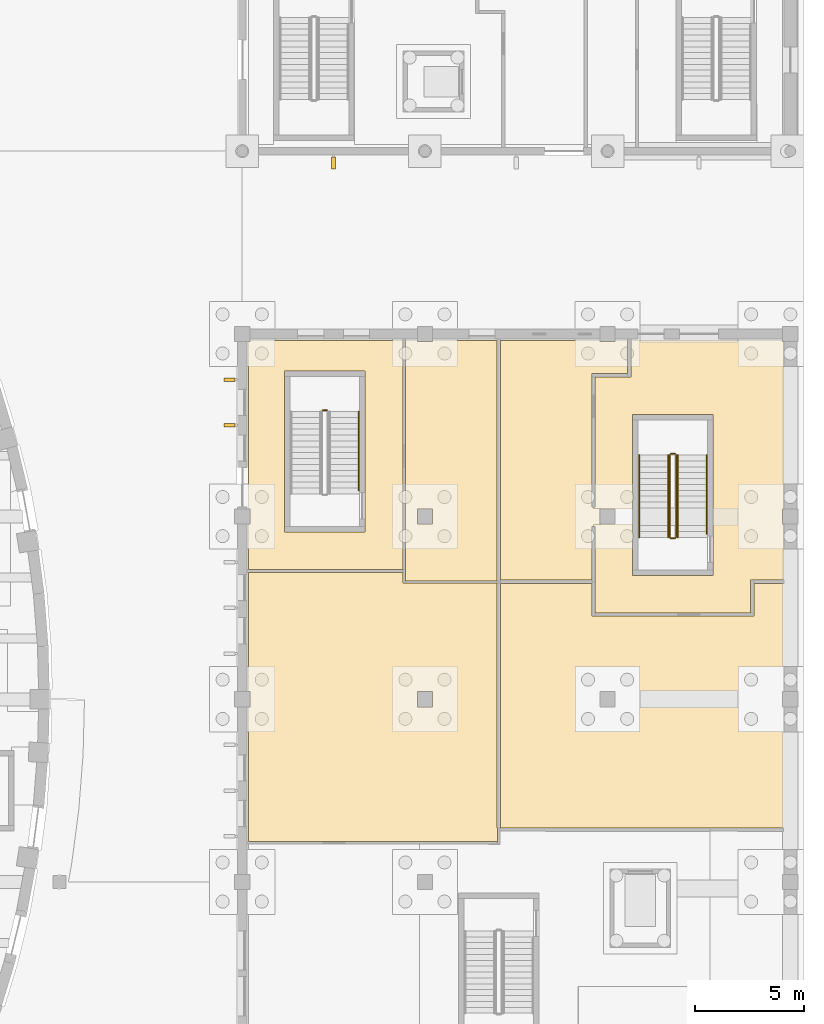
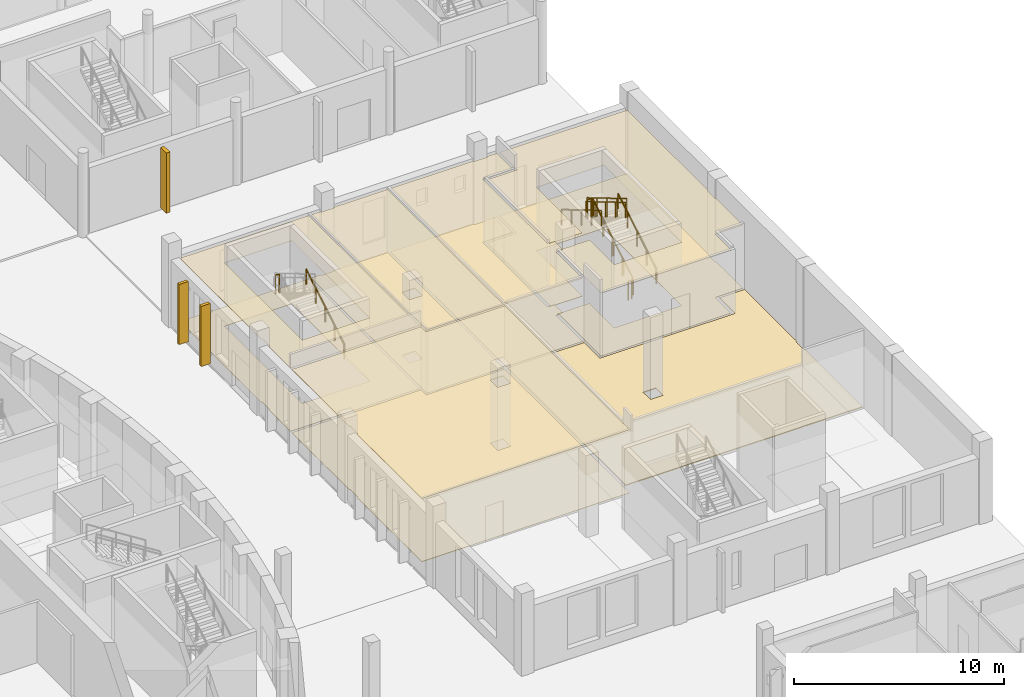
# One storey, part 106 of 110: 14 coverings, 10 railings.
"""IFC4 building model written with IfcOpenShell, lengths in metres."""

from ifc_helpers import new_model, si_unit, direction, frame, origin, origin_2d, place, context, subcontext, project, spatial, polyline, circle, outline, extrude, material, layer, layer_set, type_object, element, save


model = new_model("IFC4")

# Units and contexts
model_context = context("Model", 3, precision=1e-05, world=origin(), true_north=direction((0.0, 1.0)))
body_context = subcontext(model_context, "Body", "Model", "MODEL_VIEW")
ifc_project = project(units=[si_unit("LENGTHUNIT", "METRE"), si_unit("AREAUNIT", "SQUARE_METRE"), si_unit("VOLUMEUNIT", "CUBIC_METRE"), si_unit("PLANEANGLEUNIT", "RADIAN"), si_unit("MASSUNIT", "GRAM", prefix="KILO")], contexts=[model_context])

# Site, building, storey
site_placement = place(None, origin())
site = spatial("IfcSite", under=ifc_project, at=site_placement, CompositionType="ELEMENT")
building_placement = place(site_placement, origin())
building = spatial("IfcBuilding", under=site, at=building_placement, Name="Larchfold Concert Hall", CompositionType="ELEMENT")
storey_placement = place(building_placement, origin())
storey = spatial("IfcBuildingStorey", under=building, at=storey_placement, Name="L00", CompositionType="ELEMENT", Elevation=0.0)

# Coverings
ifc_material_1 = material(Name="Mineral fibre ceiling tile")
ifc_layer_1 = layer(ifc_material_1, 0.02001953125)
ifc_layer_set_1 = layer_set([ifc_layer_1], Name="Mineral fibre ceiling tile")
covering_type_1 = type_object("IfcCoveringType", Name="Ceiling mineral fibre tile 20", PredefinedType="CEILING", material=ifc_layer_set_1)
covering_1_placement = place(storey_placement, frame((0.0, 0.0, 3.68017578125)))
element("IfcCovering", 1, at=covering_1_placement, inside=storey, type_object=covering_type_1, Name="Ceiling Chamber Hall Store 01", PredefinedType="CEILING", context=body_context, shape_type="SweptSolid", body=[
    extrude(outline(polyline([(92.27490234375, 99.574951171875), (93.925048828125, 99.574951171875), (93.925048828125, 101.099853515625), (93.35009765625, 101.099853515625), (93.35009765625, 101.0498046875), (92.64990234375, 101.0498046875), (92.64990234375, 101.099853515625), (88.074951171875, 101.099853515625), (88.074951171875, 90.074951171875), (92.27490234375, 90.074951171875), (92.275146484375, 90.0), (92.275146484375, 92.554931640625), (92.349853515625, 92.554931640625), (92.349853515625, 92.630126953125), (92.65625, 92.63037109375), (92.688720703125, 92.64990234375), (92.64990234375, 92.64990234375), (92.64990234375, 93.35009765625), (92.68310546875, 93.35009765625), (92.6533203125, 93.369873046875), (92.350830078125, 93.3701171875), (92.350830078125, 93.445068359375), (92.276123046875, 93.445068359375), (92.27490234375, 99.574951171875)])), origin(), (0.0, 0.0, 1.0), 0.02001953125),
])
covering_2_placement = place(storey_placement, frame((0.0, 0.0, 3.68017578125)))
element("IfcCovering", 2, at=covering_2_placement, inside=storey, type_object=covering_type_1, Name="Ceiling Escape Corridor 04", PredefinedType="CEILING", context=body_context, shape_type="SweptSolid", body=[
    extrude(outline(polyline([(93.35009765625, 93.340087890625), (94.14990234375, 93.340087890625), (94.14990234375, 97.699951171875), (97.85009765625, 97.699951171875), (97.85009765625, 90.300048828125), (94.14990234375, 90.300048828125), (94.14990234375, 92.659912109375), (93.35009765625, 92.66455078125), (93.35009765625, 92.64990234375), (92.64990234375, 92.64990234375), (92.64990234375, 92.66015625), (92.350830078125, 92.659912109375), (92.350830078125, 92.554931640625), (92.425048828125, 92.554931640625), (92.425048828125, 88.574951171875), (99.574951171875, 88.574951171875), (99.574951171875, 90.074951171875), (99.724853515625, 90.074951171875), (99.72509765625, 90.000732421875), (99.72509765625, 90.074951171875), (101.099853515625, 90.074951171875), (101.099853515625, 92.64990234375), (101.0498046875, 92.64990234375), (101.0498046875, 93.35009765625), (101.099853515625, 93.35009765625), (101.099853515625, 101.0498046875), (101.0498046875, 101.0498046875), (101.0498046875, 101.099853515625), (94.074951171875, 101.099853515625), (94.074951171875, 99.425048828125), (92.425048828125, 99.425048828125), (92.426025390625, 93.445068359375), (92.350830078125, 93.445068359375), (92.350830078125, 93.340087890625), (92.64990234375, 93.329833984375), (92.64990234375, 93.35009765625), (93.35009765625, 93.35009765625), (93.35009765625, 93.340087890625)])), origin(), (0.0, 0.0, 1.0), 0.02001953125),
])
covering_3_placement = place(storey_placement, frame((0.0, 0.0, 3.68017578125)))
element("IfcCovering", 3, at=covering_3_placement, inside=storey, type_object=covering_type_1, Name="Ceiling Escape Corridor 06", PredefinedType="CEILING", context=body_context, shape_type="SweptSolid", body=[
    extrude(outline(polyline([(83.649169921875, 90.5625), (83.58740234375, 90.56591796875), (83.58740234375, 101.099853515625), (76.550048828125, 101.099853515625), (76.550048828125, 101.0498046875), (76.5, 101.0498046875), (76.5, 93.35009765625), (76.550048828125, 93.35009765625), (76.550048828125, 92.64990234375), (76.5, 92.64990234375), (76.5, 90.5625), (83.649169921875, 90.5625)]), holes=[polyline([(78.14990234375, 92.300048828125), (78.14990234375, 99.699951171875), (81.842529296875, 99.699951171875), (81.85009765625, 99.696044921875), (81.85009765625, 92.300048828125), (78.14990234375, 92.300048828125)])]), origin(), (0.0, 0.0, 1.0), 0.02001953125),
])
ifc_material_2 = material(Name="Plasterboard ceiling lining")
ifc_layer_2 = layer(ifc_material_2, 0.030029296875)
ifc_layer_set_2 = layer_set([ifc_layer_2], Name="Plasterboard ceiling lining")
covering_type_2 = type_object("IfcCoveringType", Name="Ceiling suspended plasterboard 30", PredefinedType="CEILING", material=ifc_layer_set_2)
covering_4_placement = place(storey_placement, frame((0.0, 0.0, 3.670166015625)))
element("IfcCovering", 4, at=covering_4_placement, inside=storey, type_object=covering_type_2, Name="Ceiling Chamber Hall Green Room", PredefinedType="CEILING", context=body_context, shape_type="SweptSolid", body=[
    extrude(outline(polyline([(76.550048828125, 84.25), (76.5, 84.25), (76.5, 78.0625), (87.925537109375, 78.0625), (87.925537109375, 78.00048828125), (87.93896484375, 78.688232421875), (88.0, 78.69091796875), (87.925048828125, 78.69091796875), (87.925048828125, 89.949951171875), (83.599853515625, 89.949951171875), (83.599853515625, 90.4375), (76.5, 90.4375), (76.5, 84.9501953125), (76.550048828125, 84.9501953125), (76.550048828125, 84.25)]), holes=[polyline([(84.9501953125, 84.25), (84.25, 84.25), (84.25, 84.9501953125), (84.9501953125, 84.9501953125), (84.9501953125, 84.25)])]), origin(), (0.0, 0.0, 1.0), 0.030029296875),
])
covering_5_placement = place(storey_placement, frame((0.0, 0.0, 3.670166015625)))
element("IfcCovering", 5, at=covering_5_placement, inside=storey, type_object=covering_type_2, Name="Ceiling Chamber Hall Green Room 01", PredefinedType="CEILING", context=body_context, shape_type="SweptSolid", body=[
    extrude(outline(polyline([(83.649658203125, 90.56591796875), (83.699951171875, 90.5625), (83.699951171875, 90.050048828125), (87.925048828125, 90.050048828125), (87.925048828125, 101.099853515625), (84.9501953125, 101.099853515625), (84.9501953125, 101.0498046875), (84.25, 101.0498046875), (84.25, 101.099853515625), (83.71240234375, 101.099853515625), (83.71240234375, 90.56591796875), (83.649658203125, 90.56591796875)]), holes=[polyline([(84.9501953125, 92.64990234375), (84.25, 92.64990234375), (84.25, 93.35009765625), (84.9501953125, 93.35009765625), (84.9501953125, 92.64990234375)])]), origin(), (0.0, 0.0, 1.0), 0.030029296875),
])
ifc_material_3 = material(Name="Sealed cement screed")
ifc_layer_3 = layer(ifc_material_3, 0.050048828125)
ifc_layer_set_3 = layer_set([ifc_layer_3], Name="Sealed cement screed")
covering_type_3 = type_object("IfcCoveringType", Name="Floor finish sealed screed 50", PredefinedType="FLOORING", material=ifc_layer_set_3)
covering_6_placement = place(storey_placement, origin())
element("IfcCovering", 6, at=covering_6_placement, inside=storey, type_object=covering_type_3, Name="Floor finish Chamber Hall Plant Room", PredefinedType="FLOORING", context=body_context, shape_type="SweptSolid", body=[
    extrude(outline(polyline([(88.0, 78.69091796875), (88.0625, 78.685791015625), (97.698974609375, 78.674072265625), (97.698974609375, 78.6005859375), (97.703125, 78.68701171875), (101.09619140625, 78.678955078125), (101.099853515625, 78.6005859375), (101.099853515625, 84.25), (101.0498046875, 84.25), (101.0498046875, 84.9501953125), (101.099853515625, 84.9501953125), (101.099853515625, 89.925048828125), (99.72509765625, 89.925048828125), (99.724853515625, 90.0), (99.72509765625, 88.425048828125), (92.275146484375, 88.425048828125), (92.275146484375, 90.0), (92.27490234375, 89.925048828125), (88.074951171875, 89.925048828125), (88.074951171875, 78.69091796875), (88.0, 78.69091796875)]), holes=[polyline([(93.35009765625, 84.25), (92.64990234375, 84.25), (92.64990234375, 84.9501953125), (93.35009765625, 84.9501953125), (93.35009765625, 84.25)])]), origin(), (0.0, 0.0, 1.0), 0.050048828125),
])
ifc_material_4 = material(Name="Oak boards on battens")
ifc_layer_4 = layer(ifc_material_4, 0.02490234375)
ifc_layer_set_4 = layer_set([ifc_layer_4], Name="Oak boards on battens")
covering_type_4 = type_object("IfcCoveringType", Name="Floor finish timber boards 25", PredefinedType="FLOORING", material=ifc_layer_set_4)
covering_7_placement = place(storey_placement, origin())
element("IfcCovering", 7, at=covering_7_placement, inside=storey, type_object=covering_type_4, Name="Floor finish Chamber Hall Green Room", PredefinedType="FLOORING", context=body_context, shape_type="SweptSolid", body=[
    extrude(outline(polyline([(76.550048828125, 84.25), (76.5, 84.25), (76.5, 78.0625), (87.925537109375, 78.0625), (87.925537109375, 78.00048828125), (87.93896484375, 78.688232421875), (88.0, 78.69091796875), (87.925048828125, 78.69091796875), (87.925048828125, 89.949951171875), (83.599853515625, 89.949951171875), (83.599853515625, 90.4375), (76.5, 90.4375), (76.5, 84.9501953125), (76.550048828125, 84.9501953125), (76.550048828125, 84.25)]), holes=[polyline([(84.9501953125, 84.25), (84.25, 84.25), (84.25, 84.9501953125), (84.9501953125, 84.9501953125), (84.9501953125, 84.25)])]), origin(), (0.0, 0.0, 1.0), 0.02490234375),
])
covering_8_placement = place(storey_placement, origin())
element("IfcCovering", 8, at=covering_8_placement, inside=storey, type_object=covering_type_4, Name="Floor finish Chamber Hall Green Room 01", PredefinedType="FLOORING", context=body_context, shape_type="SweptSolid", body=[
    extrude(outline(polyline([(83.649658203125, 90.56591796875), (83.699951171875, 90.5625), (83.699951171875, 90.050048828125), (87.925048828125, 90.050048828125), (87.925048828125, 101.099853515625), (84.9501953125, 101.099853515625), (84.9501953125, 101.0498046875), (84.25, 101.0498046875), (84.25, 101.099853515625), (83.71240234375, 101.099853515625), (83.71240234375, 90.56591796875), (83.649658203125, 90.56591796875)]), holes=[polyline([(84.9501953125, 92.64990234375), (84.25, 92.64990234375), (84.25, 93.35009765625), (84.9501953125, 93.35009765625), (84.9501953125, 92.64990234375)])]), origin(), (0.0, 0.0, 1.0), 0.02490234375),
])
covering_9_placement = place(storey_placement, origin())
element("IfcCovering", 9, at=covering_9_placement, inside=storey, type_object=covering_type_4, Name="Floor finish Chamber Hall Store 01", PredefinedType="FLOORING", context=body_context, shape_type="SweptSolid", body=[
    extrude(outline(polyline([(92.27490234375, 99.574951171875), (93.925048828125, 99.574951171875), (93.925048828125, 101.099853515625), (93.35009765625, 101.099853515625), (93.35009765625, 101.0498046875), (92.64990234375, 101.0498046875), (92.64990234375, 101.099853515625), (88.074951171875, 101.099853515625), (88.074951171875, 90.074951171875), (92.27490234375, 90.074951171875), (92.275146484375, 90.0), (92.275146484375, 92.554931640625), (92.349853515625, 92.554931640625), (92.349853515625, 92.630126953125), (92.65625, 92.63037109375), (92.688720703125, 92.64990234375), (92.64990234375, 92.64990234375), (92.64990234375, 93.35009765625), (92.68310546875, 93.35009765625), (92.6533203125, 93.369873046875), (92.350830078125, 93.3701171875), (92.350830078125, 93.445068359375), (92.276123046875, 93.445068359375), (92.27490234375, 99.574951171875)])), origin(), (0.0, 0.0, 1.0), 0.02490234375),
])
ifc_material_5 = material(Name="Linoleum sheet")
ifc_layer_5 = layer(ifc_material_5, 0.02001953125)
ifc_layer_set_5 = layer_set([ifc_layer_5], Name="Linoleum sheet")
covering_type_5 = type_object("IfcCoveringType", Name="Floor finish vinyl 20", PredefinedType="FLOORING", material=ifc_layer_set_5)
covering_10_placement = place(storey_placement, origin())
element("IfcCovering", 10, at=covering_10_placement, inside=storey, type_object=covering_type_5, Name="Floor finish Escape Corridor 04", PredefinedType="FLOORING", context=body_context, shape_type="SweptSolid", body=[
    extrude(outline(polyline([(93.35009765625, 93.340087890625), (94.14990234375, 93.340087890625), (94.14990234375, 97.699951171875), (97.85009765625, 97.699951171875), (97.85009765625, 90.300048828125), (94.14990234375, 90.300048828125), (94.14990234375, 92.659912109375), (93.35009765625, 92.66455078125), (93.35009765625, 92.64990234375), (92.64990234375, 92.64990234375), (92.64990234375, 92.66015625), (92.350830078125, 92.659912109375), (92.350830078125, 92.554931640625), (92.425048828125, 92.554931640625), (92.425048828125, 88.574951171875), (99.574951171875, 88.574951171875), (99.574951171875, 90.074951171875), (99.724853515625, 90.074951171875), (99.72509765625, 90.000732421875), (99.72509765625, 90.074951171875), (101.099853515625, 90.074951171875), (101.099853515625, 92.64990234375), (101.0498046875, 92.64990234375), (101.0498046875, 93.35009765625), (101.099853515625, 93.35009765625), (101.099853515625, 101.0498046875), (101.0498046875, 101.0498046875), (101.0498046875, 101.099853515625), (94.074951171875, 101.099853515625), (94.074951171875, 99.425048828125), (92.425048828125, 99.425048828125), (92.426025390625, 93.445068359375), (92.350830078125, 93.445068359375), (92.350830078125, 93.340087890625), (92.64990234375, 93.329833984375), (92.64990234375, 93.35009765625), (93.35009765625, 93.35009765625), (93.35009765625, 93.340087890625)])), origin(), (0.0, 0.0, 1.0), 0.02001953125),
])
covering_11_placement = place(storey_placement, origin())
element("IfcCovering", 11, at=covering_11_placement, inside=storey, type_object=covering_type_5, Name="Floor finish Escape Corridor 06", PredefinedType="FLOORING", context=body_context, shape_type="SweptSolid", body=[
    extrude(outline(polyline([(83.649169921875, 90.5625), (83.58740234375, 90.56591796875), (83.58740234375, 101.099853515625), (76.550048828125, 101.099853515625), (76.550048828125, 101.0498046875), (76.5, 101.0498046875), (76.5, 93.35009765625), (76.550048828125, 93.35009765625), (76.550048828125, 92.64990234375), (76.5, 92.64990234375), (76.5, 90.5625), (83.649169921875, 90.5625)]), holes=[polyline([(78.14990234375, 92.300048828125), (78.14990234375, 99.699951171875), (81.842529296875, 99.699951171875), (81.85009765625, 99.696044921875), (81.85009765625, 92.300048828125), (78.14990234375, 92.300048828125)])]), origin(), (0.0, 0.0, 1.0), 0.02001953125),
])
ifc_material_6 = material(Name="Glulam GL30c", Category="wood")
ifc_layer_6 = layer(ifc_material_6, 0.159912109375)
ifc_layer_set_6 = layer_set([ifc_layer_6], Name="Glulam GL30c")
covering_type_6 = type_object("IfcCoveringType", Name="Glulam fin 160x500", PredefinedType="CLADDING", material=ifc_layer_set_6)
covering_12_placement = place(storey_placement, frame((0.0, 0.0, 0.199951171875)))
element("IfcCovering", 12, at=covering_12_placement, inside=storey, type_object=covering_type_6, Name="Glulam fin FN-L00-021", PredefinedType="CLADDING", context=body_context, shape_type="SweptSolid", body=[
    extrude(outline(polyline([(75.875, 97.1201171875), (75.875, 97.280029296875), (75.375, 97.280029296875), (75.375, 97.1201171875), (75.875, 97.1201171875)])), origin(), (0.0, 0.0, 1.0), 3.5),
])
covering_13_placement = place(storey_placement, frame((0.0, 0.0, 0.199951171875)))
element("IfcCovering", 13, at=covering_13_placement, inside=storey, type_object=covering_type_6, Name="Glulam fin FN-L00-022", PredefinedType="CLADDING", context=body_context, shape_type="SweptSolid", body=[
    extrude(outline(polyline([(75.875, 99.219970703125), (75.875, 99.3798828125), (75.375, 99.3798828125), (75.375, 99.219970703125), (75.875, 99.219970703125)])), origin(), (0.0, 0.0, 1.0), 3.5),
])
ifc_material_7 = material(Name="Glulam GL30c", Category="wood")
ifc_layer_7 = layer(ifc_material_7, 0.199951171875)
ifc_layer_set_7 = layer_set([ifc_layer_7], Name="Glulam GL30c")
covering_type_7 = type_object("IfcCoveringType", Name="Glulam fin 200x550", PredefinedType="CLADDING", material=ifc_layer_set_7)
covering_14_placement = place(storey_placement, frame((0.0, 0.0, 0.199951171875)))
element("IfcCovering", 14, at=covering_14_placement, inside=storey, type_object=covering_type_7, Name="Glulam fin FN-L00-031", PredefinedType="CLADDING", context=body_context, shape_type="SweptSolid", body=[
    extrude(outline(polyline([(80.5, 108.97509765625), (80.5, 109.525146484375), (80.300048828125, 109.525146484375), (80.300048828125, 108.97509765625), (80.5, 108.97509765625)])), origin(), (0.0, 0.0, 1.0), 3.5),
])

# Railings
ifc_material_8 = material(Name="Stainless steel balustrade", Category="steel")
railing_type_1 = type_object("IfcRailingType", Name="Stair guard 1100", PredefinedType="GUARDRAIL", material=ifc_material_8)
railing_1_placement = place(storey_placement, frame((80.10009765625, 97.880126953125, 2.39990234375)))
element("IfcRailing", 15, at=railing_1_placement, inside=storey, type_object=railing_type_1, Name="Guard GR0070", PredefinedType="GUARDRAIL", context=body_context, shape_type="SweptSolid", body=[
    extrude(circle(Radius=0.02392578125, at=origin_2d()), frame((0.0, 0.0, 1.076171875), z_axis=(-1.0, 0.0, 0.0), x_axis=(0.0, -1.0, 0.0)), (0.0, 0.0, 1.0), 0.199951171875),
    extrude(circle(Radius=0.02099609375, at=origin_2d()), origin(), (0.0, 0.0, 1.0), 1.052001953125),
    extrude(circle(Radius=0.02099609375, at=origin_2d()), frame((-0.199951171875, 0.0, 0.0)), (0.0, 0.0, 1.0), 1.052001953125),
])
railing_2_placement = place(storey_placement, frame((96.150146484375, 92.050048828125, 0.159912109375)))
element("IfcRailing", 16, at=railing_2_placement, inside=storey, type_object=railing_type_1, Name="Guard GR0073", PredefinedType="GUARDRAIL", context=body_context, shape_type="SweptSolid", body=[
    extrude(circle(Radius=0.02392578125, at=origin_2d()), frame((0.0, 0.0, 1.076171875), z_axis=(0.0, 0.860294241299, 0.509797821089), x_axis=(-1.0, 0.0, 0.0)), (0.0, 0.0, 1.0), 4.393798828125),
    extrude(circle(Radius=0.02099609375, at=origin_2d()), origin(), (0.0, 0.0, 1.0), 1.052001953125),
    extrude(circle(Radius=0.02099609375, at=origin_2d()), frame((0.0, 0.945068359375, 0.56005859375)), (0.0, 0.0, 1.0), 1.052001953125),
    extrude(circle(Radius=0.02099609375, at=origin_2d()), frame((0.0, 1.89013671875, 1.1201171875)), (0.0, 0.0, 1.0), 1.052001953125),
    extrude(circle(Radius=0.02099609375, at=origin_2d()), frame((0.0, 2.8349609375, 1.679931640625)), (0.0, 0.0, 1.0), 1.052001953125),
    extrude(circle(Radius=0.02099609375, at=origin_2d()), frame((0.0, 3.780029296875, 2.239990234375)), (0.0, 0.0, 1.0), 1.052001953125),
])
railing_3_placement = place(storey_placement, frame((96.10009765625, 95.880126953125, 2.39990234375)))
element("IfcRailing", 17, at=railing_3_placement, inside=storey, type_object=railing_type_1, Name="Guard GR0074", PredefinedType="GUARDRAIL", context=body_context, shape_type="SweptSolid", body=[
    extrude(circle(Radius=0.02392578125, at=origin_2d()), frame((0.0, 0.0, 1.076171875), z_axis=(-1.0, 0.0, 0.0), x_axis=(0.0, -1.0, 0.0)), (0.0, 0.0, 1.0), 0.199951171875),
    extrude(circle(Radius=0.02099609375, at=origin_2d()), origin(), (0.0, 0.0, 1.0), 1.052001953125),
    extrude(circle(Radius=0.02099609375, at=origin_2d()), frame((-0.199951171875, 0.0, 0.0)), (0.0, 0.0, 1.0), 1.052001953125),
])
railing_4_placement = place(storey_placement, frame((95.85009765625, 95.830078125, 2.56005859375)))
element("IfcRailing", 18, at=railing_4_placement, inside=storey, type_object=railing_type_1, Name="Guard GR0075", PredefinedType="GUARDRAIL", context=body_context, shape_type="SweptSolid", body=[
    extrude(circle(Radius=0.02392578125, at=origin_2d()), frame((0.0, 0.0, 1.076171875), z_axis=(0.0, -0.860294241299, 0.509797821089), x_axis=(1.0, 0.0, 0.0)), (0.0, 0.0, 1.0), 4.393798828125),
    extrude(circle(Radius=0.02099609375, at=origin_2d()), origin(), (0.0, 0.0, 1.0), 1.052001953125),
    extrude(circle(Radius=0.02099609375, at=origin_2d()), frame((0.0, -0.945068359375, 0.56005859375)), (0.0, 0.0, 1.0), 1.052001953125),
    extrude(circle(Radius=0.02099609375, at=origin_2d()), frame((0.0, -1.89013671875, 1.1201171875)), (0.0, 0.0, 1.0), 1.052001953125),
    extrude(circle(Radius=0.02099609375, at=origin_2d()), frame((0.0, -2.8349609375, 1.679931640625)), (0.0, 0.0, 1.0), 1.052001953125),
    extrude(circle(Radius=0.02099609375, at=origin_2d()), frame((0.0, -3.780029296875, 2.239990234375)), (0.0, 0.0, 1.0), 1.052001953125),
])
railing_5_placement = place(storey_placement, frame((96.10009765625, 92.0, 0.0)))
element("IfcRailing", 19, at=railing_5_placement, inside=storey, type_object=railing_type_1, Name="Guard GR0076", PredefinedType="GUARDRAIL", context=body_context, shape_type="SweptSolid", body=[
    extrude(circle(Radius=0.02392578125, at=origin_2d()), frame((0.0, 0.0, 1.076171875), z_axis=(-1.0, 0.0, 0.0), x_axis=(0.0, -1.0, 0.0)), (0.0, 0.0, 1.0), 0.199951171875),
    extrude(circle(Radius=0.02099609375, at=origin_2d()), origin(), (0.0, 0.0, 1.0), 1.052001953125),
    extrude(circle(Radius=0.02099609375, at=origin_2d()), frame((-0.199951171875, 0.0, 0.0)), (0.0, 0.0, 1.0), 1.052001953125),
])
ifc_material_9 = material(Name="Stainless steel handrail", Category="steel")
railing_type_2 = type_object("IfcRailingType", Name="Stair handrail 900", PredefinedType="HANDRAIL", material=ifc_material_9)
for number, where, name in (
    (20, (81.550048828125, 94.2001953125, 0.2490234375), "Handrail HR0065"),
    (21, (97.550048828125, 92.2001953125, 0.2490234375), "Handrail HR0069"),
):
    element("IfcRailing", number, at=place(storey_placement, frame(where)), inside=storey, type_object=railing_type_2, Name=name, PredefinedType="HANDRAIL", context=body_context, shape_type="SweptSolid", body=[
        extrude(circle(Radius=0.02392578125, at=origin_2d()), frame((0.0, 0.0, 0.8759765625), z_axis=(0.0, 0.860308451506, 0.509773840313), x_axis=(-1.0, 0.0, 0.0)), (0.0, 0.0, 1.0), 4.21923828125),
        extrude(circle(Radius=0.02099609375, at=origin_2d()), origin(), (0.0, 0.0, 1.0), 0.851806640625),
        extrude(circle(Radius=0.02099609375, at=origin_2d()), frame((0.0, 0.907470703125, 0.53759765625)), (0.0, 0.0, 1.0), 0.851806640625),
        extrude(circle(Radius=0.02099609375, at=origin_2d()), frame((0.0, 1.81494140625, 1.075439453125)), (0.0, 0.0, 1.0), 0.851806640625),
        extrude(circle(Radius=0.02099609375, at=origin_2d()), frame((0.0, 2.722412109375, 1.61328125)), (0.0, 0.0, 1.0), 0.851806640625),
        extrude(circle(Radius=0.02099609375, at=origin_2d()), frame((0.0, 3.6298828125, 2.15087890625)), (0.0, 0.0, 1.0), 0.851806640625),
    ])
railing_6_placement = place(storey_placement, frame((94.4501953125, 95.830078125, 2.56005859375)))
element("IfcRailing", 22, at=railing_6_placement, inside=storey, type_object=railing_type_2, Name="Handrail HR0070", PredefinedType="HANDRAIL", context=body_context, shape_type="SweptSolid", body=[
    extrude(circle(Radius=0.02392578125, at=origin_2d()), frame((0.0, 0.0, 0.8759765625), z_axis=(0.0, -0.860294241299, 0.509797821089), x_axis=(1.0, 0.0, 0.0)), (0.0, 0.0, 1.0), 4.393798828125),
    extrude(circle(Radius=0.02099609375, at=origin_2d()), origin(), (0.0, 0.0, 1.0), 0.851806640625),
    extrude(circle(Radius=0.02099609375, at=origin_2d()), frame((0.0, -0.945068359375, 0.56005859375)), (0.0, 0.0, 1.0), 0.851806640625),
    extrude(circle(Radius=0.02099609375, at=origin_2d()), frame((0.0, -1.89013671875, 1.1201171875)), (0.0, 0.0, 1.0), 0.851806640625),
    extrude(circle(Radius=0.02099609375, at=origin_2d()), frame((0.0, -2.8349609375, 1.679931640625)), (0.0, 0.0, 1.0), 0.851806640625),
    extrude(circle(Radius=0.02099609375, at=origin_2d()), frame((0.0, -3.780029296875, 2.239990234375)), (0.0, 0.0, 1.0), 0.851806640625),
])
railing_7_placement = place(storey_placement, frame((96.22021484375, 92.050048828125, 0.159912109375)))
element("IfcRailing", 23, at=railing_7_placement, inside=storey, type_object=railing_type_2, Name="Handrail HR0071", PredefinedType="HANDRAIL", context=body_context, shape_type="SweptSolid", body=[
    extrude(circle(Radius=0.02392578125, at=origin_2d()), frame((0.0, 0.0, 0.8759765625), z_axis=(0.0, 0.860294241299, 0.509797821089), x_axis=(-1.0, 0.0, 0.0)), (0.0, 0.0, 1.0), 4.393798828125),
    extrude(circle(Radius=0.02099609375, at=origin_2d()), origin(), (0.0, 0.0, 1.0), 0.851806640625),
    extrude(circle(Radius=0.02099609375, at=origin_2d()), frame((0.0, 0.945068359375, 0.56005859375)), (0.0, 0.0, 1.0), 0.851806640625),
    extrude(circle(Radius=0.02099609375, at=origin_2d()), frame((0.0, 1.89013671875, 1.1201171875)), (0.0, 0.0, 1.0), 0.851806640625),
    extrude(circle(Radius=0.02099609375, at=origin_2d()), frame((0.0, 2.8349609375, 1.679931640625)), (0.0, 0.0, 1.0), 0.851806640625),
    extrude(circle(Radius=0.02099609375, at=origin_2d()), frame((0.0, 3.780029296875, 2.239990234375)), (0.0, 0.0, 1.0), 0.851806640625),
])
railing_8_placement = place(storey_placement, frame((95.780029296875, 95.830078125, 2.56005859375)))
element("IfcRailing", 24, at=railing_8_placement, inside=storey, type_object=railing_type_2, Name="Handrail HR0072", PredefinedType="HANDRAIL", context=body_context, shape_type="SweptSolid", body=[
    extrude(circle(Radius=0.02392578125, at=origin_2d()), frame((0.0, 0.0, 0.8759765625), z_axis=(0.0, -0.860294241299, 0.509797821089), x_axis=(1.0, 0.0, 0.0)), (0.0, 0.0, 1.0), 4.393798828125),
    extrude(circle(Radius=0.02099609375, at=origin_2d()), origin(), (0.0, 0.0, 1.0), 0.851806640625),
    extrude(circle(Radius=0.02099609375, at=origin_2d()), frame((0.0, -0.945068359375, 0.56005859375)), (0.0, 0.0, 1.0), 0.851806640625),
    extrude(circle(Radius=0.02099609375, at=origin_2d()), frame((0.0, -1.89013671875, 1.1201171875)), (0.0, 0.0, 1.0), 0.851806640625),
    extrude(circle(Radius=0.02099609375, at=origin_2d()), frame((0.0, -2.8349609375, 1.679931640625)), (0.0, 0.0, 1.0), 0.851806640625),
    extrude(circle(Radius=0.02099609375, at=origin_2d()), frame((0.0, -3.780029296875, 2.239990234375)), (0.0, 0.0, 1.0), 0.851806640625),
])

save(model, "model.ifc")
